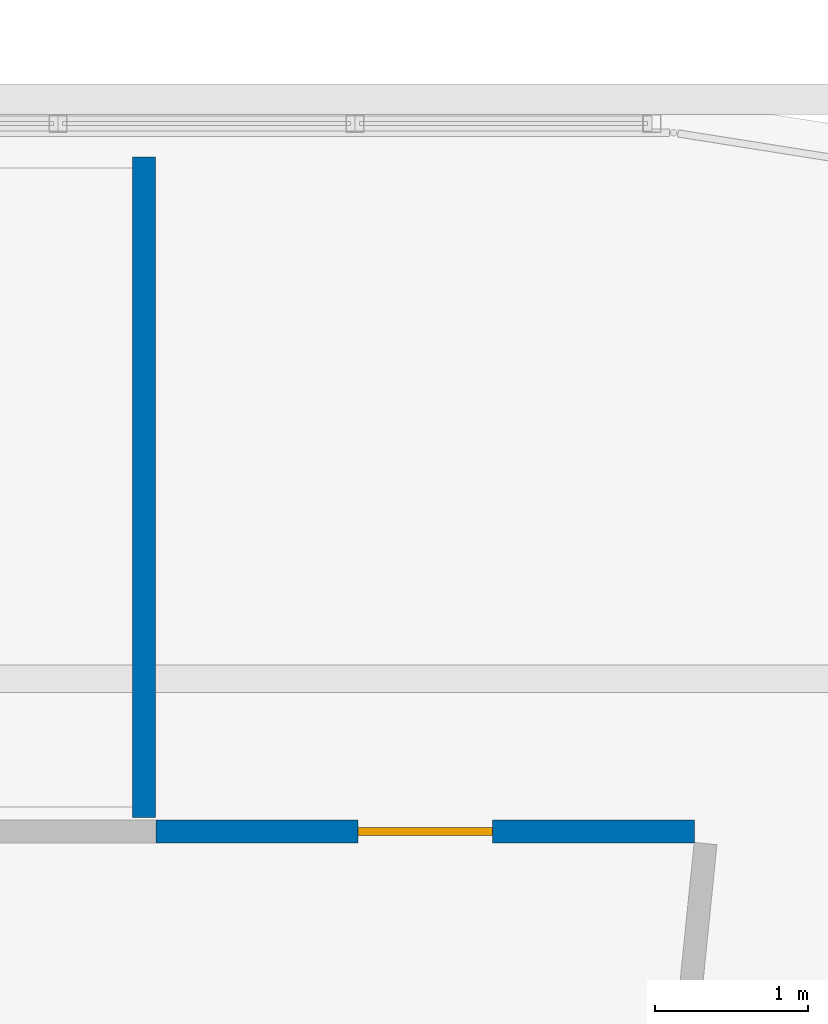
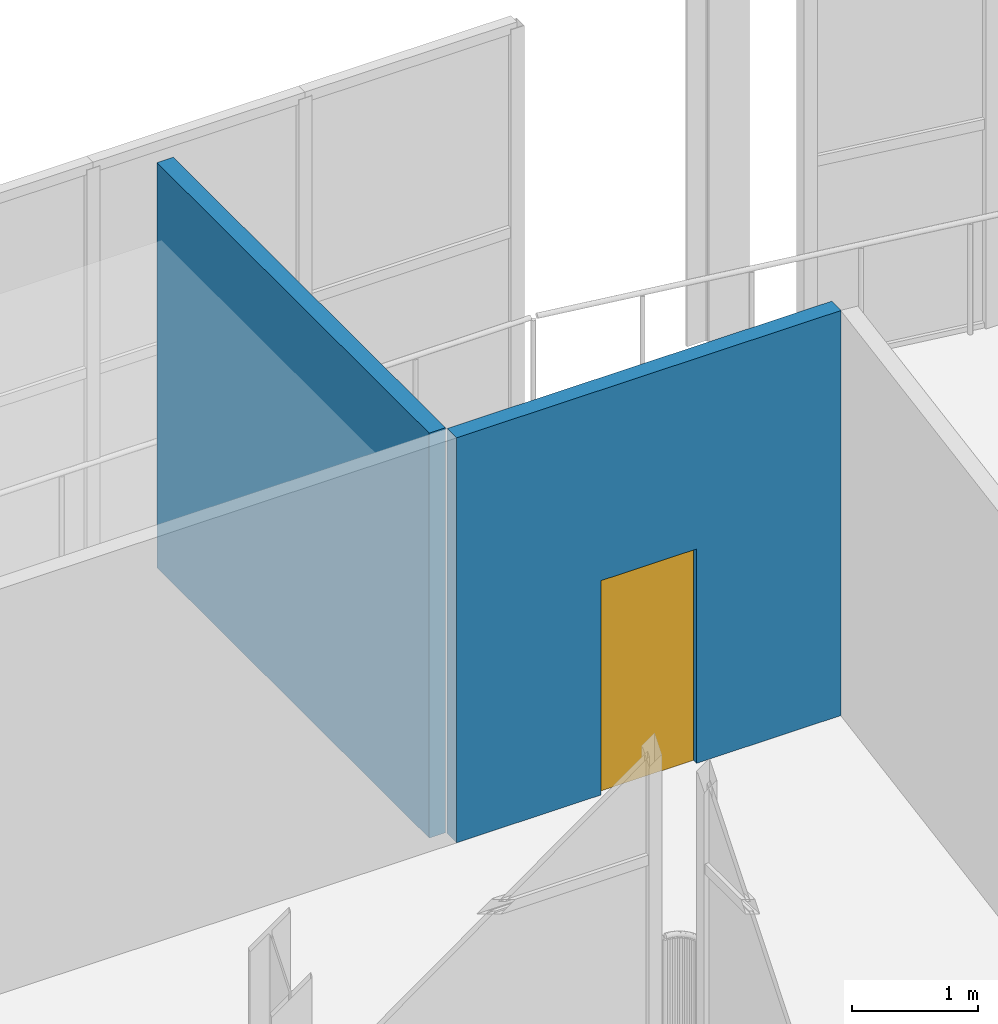
# One storey, part 199 of 217: 2 walls, 1 door, 1 opening.
"""IFC4 building model written with IfcOpenShell, lengths in metres."""

from ifc_helpers import new_model, si_unit, direction, frame, frame_2d, origin, place, context, subcontext, project, spatial, rectangle, extrude, material, layer, layer_set, type_object, element, fill, save


model = new_model("IFC4")

# Units and contexts
model_context = context("Model", 3, precision=1e-05, world=origin(), true_north=direction((0.0, 1.0)))
body_context = subcontext(model_context, "Body", "Model", "MODEL_VIEW")
ifc_project = project(units=[si_unit("LENGTHUNIT", "METRE"), si_unit("AREAUNIT", "SQUARE_METRE"), si_unit("VOLUMEUNIT", "CUBIC_METRE"), si_unit("PLANEANGLEUNIT", "RADIAN"), si_unit("MASSUNIT", "GRAM", prefix="KILO")], contexts=[model_context])

# Site, building, storey
site_placement = place(None, origin())
site = spatial("IfcSite", under=ifc_project, at=site_placement, CompositionType="ELEMENT")
building_placement = place(site_placement, origin())
building = spatial("IfcBuilding", under=site, at=building_placement, Name="Zuvorla Pavilion Media Centre", CompositionType="ELEMENT")
storey_placement = place(building_placement, frame((0.0, 0.0, 9.60009765625)))
storey = spatial("IfcBuildingStorey", under=building, at=storey_placement, Name="L02", CompositionType="ELEMENT", Elevation=9.60009765625)

# Wall, opening, door
ifc_material_1 = material(Name="Acoustic gypsum stud partition")
ifc_layer = layer(ifc_material_1, 0.14990234375)
ifc_layer_set = layer_set([ifc_layer], Name="Acoustic gypsum stud partition")
wall_type = type_object("IfcWallType", Name="WL-PRT-150", PredefinedType="PARTITIONING", material=ifc_layer_set)
wall_1_placement = place(storey_placement, frame((153.990478515625, 84.800048828125, 0.0), z_axis=(0.0, 0.0, 1.0), x_axis=(1.0, 0.0, 0.0)))
wall_1 = element("IfcWall", 1, at=wall_1_placement, inside=storey, type_object=wall_type, Name="L02 partition PT15 510", PredefinedType="PARTITIONING", context=body_context, shape_type="SweptSolid", body=[
    extrude(rectangle(XDim=3.529541015625, YDim=0.14990234375, at=frame_2d((1.7646484375, 0.0))), origin(), (0.0, 0.0, 1.0), 3.929931640625),
])
opening_placement = place(wall_1_placement, frame((1.32470703125, 0.0, 0.0)))
opening = element("IfcOpeningElement", 2, at=opening_placement, cuts=wall_1, Name="Opening ID01", PredefinedType="OPENING", context=body_context, shape_type="SweptSolid", body=[
    extrude(rectangle(XDim=0.8798828125, YDim=2.080078125, at=frame_2d((0.43994140625, 1.0400390625))), frame((0.0, 0.0849609375, 0.0), z_axis=(0.0, -1.0, 0.0), x_axis=(1.0, 0.0, 0.0)), (0.0, 0.0, 1.0), 0.169921875),
])
ifc_material_2 = material(Name="Hardwood acoustic studio door in anodised frame", Category="wood")
door_type = type_object("IfcDoorType", Name="DR-UNR-ID01", OperationType="NOTDEFINED", PredefinedType="DOOR", material=ifc_material_2)
door_placement = place(opening_placement, origin())
door = element("IfcDoor", 3, at=door_placement, inside=storey, type_object=door_type, Name="Interior door ID01 216", OperationType="SINGLE_SWING_LEFT", OverallHeight=2.080078125, OverallWidth=0.8798828125, PredefinedType="DOOR", context=body_context, shape_type="SweptSolid", body=[
    extrude(rectangle(XDim=0.8798828125, YDim=2.080078125, at=frame_2d((0.43994140625, 1.0400390625))), frame((0.0, 0.02490234375, 0.0), z_axis=(0.0, -1.0, 0.0), x_axis=(1.0, 0.0, 0.0)), (0.0, 0.0, 1.0), 0.050048828125),
])
fill(opening, door)

# Wall
wall_2_placement = place(storey_placement, frame((153.909912109375, 89.219970703125, 0.0), z_axis=(0.0, 0.0, 1.0), x_axis=(0.0, -1.0, 0.0)))
element("IfcWall", 4, at=wall_2_placement, inside=storey, type_object=wall_type, Name="L02 partition PT15 518", PredefinedType="PARTITIONING", context=body_context, shape_type="SweptSolid", body=[
    extrude(rectangle(XDim=4.330078125, YDim=0.14990234375, at=frame_2d((2.1650390625, 0.0))), origin(), (0.0, 0.0, 1.0), 3.929931640625),
])

save(model, "model.ifc")
